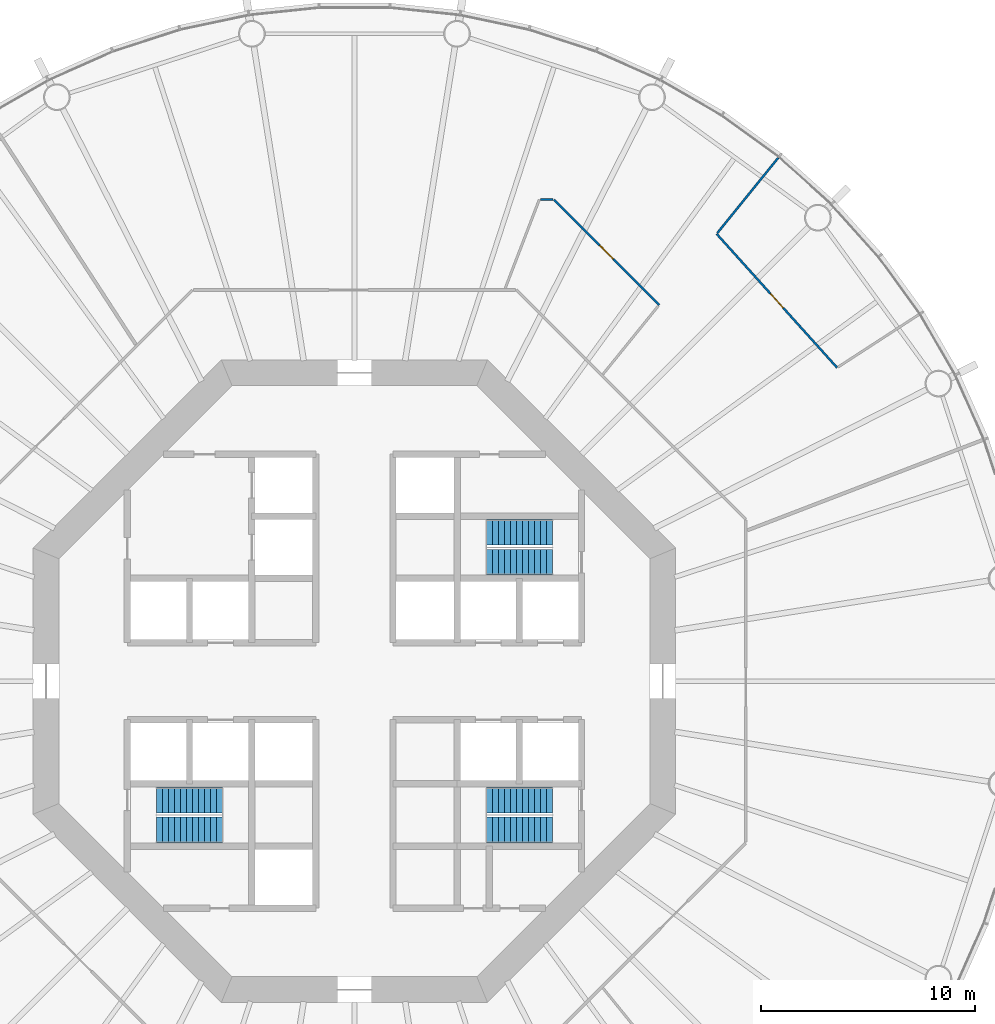
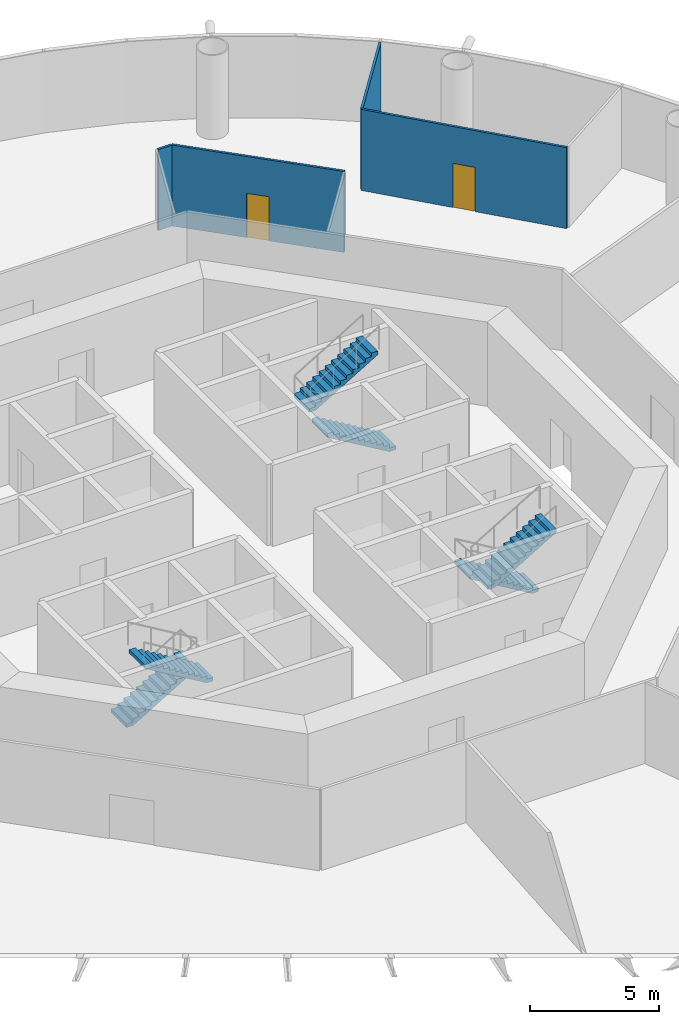
# One storey, part 5 of 12: 6 stair flights, 4 walls, 2 doors, 2 openings, 3 elements without a shape of their own.
"""IFC4 building model written with IfcOpenShell, lengths in metres."""

from ifc_helpers import new_model, si_unit, direction, frame, frame_2d, origin, place, context, subcontext, project, spatial, polyline, rectangle, outline, extrude, material, layer, layer_set, type_object, element, fill, aggregate, save


model = new_model("IFC4")

# Units and contexts
model_context = context("Model", 3, precision=1e-05, world=origin(), true_north=direction((0.0, 1.0)))
body_context = subcontext(model_context, "Body", "Model", "MODEL_VIEW")
ifc_project = project(units=[si_unit("LENGTHUNIT", "METRE"), si_unit("AREAUNIT", "SQUARE_METRE"), si_unit("VOLUMEUNIT", "CUBIC_METRE"), si_unit("PLANEANGLEUNIT", "RADIAN"), si_unit("MASSUNIT", "GRAM", prefix="KILO")], contexts=[model_context])

# Site, building, storey
site_placement = place(None, origin())
site = spatial("IfcSite", under=ifc_project, at=site_placement, CompositionType="ELEMENT")
building_placement = place(site_placement, origin())
building = spatial("IfcBuilding", under=site, at=building_placement, Name="Entoto Ring Tower", CompositionType="ELEMENT")
storey_placement = place(building_placement, frame((0.0, 0.0, 128.0)))
storey = spatial("IfcBuildingStorey", under=building, at=storey_placement, Name="L29", CompositionType="ELEMENT", Elevation=128.0)

# Wall, opening, door
ifc_material_1 = material(Name="Plasterboard on steel studs", Category="steel")
ifc_layer = layer(ifc_material_1, 0.10009765625)
ifc_layer_set = layer_set([ifc_layer], Name="Plasterboard on steel studs")
wall_type = type_object("IfcWallType", Name="Partition 100 mm plasterboard on steel studs", PredefinedType="PARTITIONING", material=ifc_layer_set)
wall_1_placement = place(storey_placement, frame((112.53515625, 94.634521484375, 0.0), z_axis=(0.0, 0.0, 1.0), x_axis=(-0.669139602443, 0.743136725268, 0.0)))
wall_1 = element("IfcWall", 1, at=wall_1_placement, inside=storey, type_object=wall_type, Name="partition-L29-012", PredefinedType="PARTITIONING", context=body_context, shape_type="SweptSolid", body=[
    extrude(rectangle(XDim=8.40673828125, YDim=0.10009765625, at=frame_2d((4.203369140625, 0.0))), origin(), (0.0, 0.0, 1.0), 3.85009765625),
])
opening_1_placement = place(wall_1_placement, frame((3.75341796875, 0.0, 0.0)))
opening_1 = element("IfcOpeningElement", 2, at=opening_1_placement, cuts=wall_1, Name="Opening A12-D11", PredefinedType="OPENING", context=body_context, shape_type="SweptSolid", body=[
    extrude(rectangle(XDim=0.89990234375, YDim=2.10009765625, at=frame_2d((0.449951171875, 1.050048828125))), frame((0.0, 0.06005859375, 0.0), z_axis=(0.0, -1.0, 0.0), x_axis=(1.0, 0.0, 0.0)), (0.0, 0.0, 1.0), 0.1201171875),
])
ifc_material_2 = material(Name="Veneered timber door leaf in timber frame", Category="wood")
door_type = type_object("IfcDoorType", Name="Door 900 x 2100 single leaf timber veneer", OperationType="NOTDEFINED", PredefinedType="DOOR", material=ifc_material_2)
door_1_placement = place(opening_1_placement, frame((0.89990234375, 0.0, 0.0), z_axis=(0.0, 0.0, 1.0), x_axis=(-1.0, 0.0, 0.0)))
door_1 = element("IfcDoor", 3, at=door_1_placement, inside=storey, type_object=door_type, Name="Door A12-D11", OperationType="SINGLE_SWING_LEFT", OverallHeight=2.10009765625, OverallWidth=0.89990234375, PredefinedType="DOOR", context=body_context, shape_type="SweptSolid", body=[
    extrude(rectangle(XDim=0.89990234375, YDim=2.10009765625, at=frame_2d((0.449951171875, 1.050048828125))), frame((0.0, 0.02490234375, 0.0), z_axis=(0.0, -1.0, 0.0), x_axis=(1.0, 0.0, 0.0)), (0.0, 0.0, 1.0), 0.050048828125),
])
fill(opening_1, door_1)

wall_2_placement = place(storey_placement, frame((104.2265625, 97.568359375, 0.0), z_axis=(0.0, 0.0, 1.0), x_axis=(-0.707106781187, 0.707106781187, 0.0)))
wall_2 = element("IfcWall", 4, at=wall_2_placement, inside=storey, type_object=wall_type, Name="partition-L29-014", PredefinedType="PARTITIONING", context=body_context, shape_type="SweptSolid", body=[
    extrude(rectangle(XDim=6.949462890625, YDim=0.10009765625, at=frame_2d((3.474609375, 0.0))), origin(), (0.0, 0.0, 1.0), 3.85009765625),
])
opening_2_placement = place(wall_2_placement, frame((3.02490234375, 0.0, 0.0)))
opening_2 = element("IfcOpeningElement", 5, at=opening_2_placement, cuts=wall_2, Name="Opening A12-D10", PredefinedType="OPENING", context=body_context, shape_type="SweptSolid", body=[
    extrude(rectangle(XDim=0.89990234375, YDim=2.10009765625, at=frame_2d((0.449951171875, 1.050048828125))), frame((0.0, 0.06005859375, 0.0), z_axis=(0.0, -1.0, 0.0), x_axis=(1.0, 0.0, 0.0)), (0.0, 0.0, 1.0), 0.1201171875),
])
door_2_placement = place(opening_2_placement, origin())
door_2 = element("IfcDoor", 6, at=door_2_placement, inside=storey, type_object=door_type, Name="Door A12-D10", OperationType="SINGLE_SWING_LEFT", OverallHeight=2.10009765625, OverallWidth=0.89990234375, PredefinedType="DOOR", context=body_context, shape_type="SweptSolid", body=[
    extrude(rectangle(XDim=0.89990234375, YDim=2.10009765625, at=frame_2d((0.449951171875, 1.050048828125))), frame((0.0, 0.02490234375, 0.0), z_axis=(0.0, -1.0, 0.0), x_axis=(1.0, 0.0, 0.0)), (0.0, 0.0, 1.0), 0.050048828125),
])
fill(opening_2, door_2)

# Walls
wall_3_placement = place(storey_placement, frame((106.94091796875, 100.920166015625, 0.0), z_axis=(0.0, 0.0, 1.0), x_axis=(0.629300755535, 0.777161861573, 0.0)))
element("IfcWall", 7, at=wall_3_placement, inside=storey, type_object=wall_type, Name="partition-L29-022", PredefinedType="PARTITIONING", context=body_context, shape_type="SweptSolid", body=[
    extrude(rectangle(XDim=4.520751953125, YDim=0.10009765625, at=frame_2d((2.26025390625, 0.0))), origin(), (0.0, 0.0, 1.0), 3.85009765625),
])
wall_4_placement = place(storey_placement, frame((98.6767578125, 102.482421875, 0.0), z_axis=(0.0, 0.0, 1.0), x_axis=(1.0, 0.0, 0.0)))
element("IfcWall", 8, at=wall_4_placement, inside=storey, type_object=wall_type, Name="partition-L29-030", PredefinedType="PARTITIONING", context=body_context, shape_type="SweptSolid", body=[
    extrude(rectangle(XDim=0.6005859375, YDim=0.10009765625, at=frame_2d((0.30029296875, 0.0))), origin(), (0.0, 0.0, 1.0), 3.85009765625),
])

# Stair, stair flights
ifc_material_3 = material(Name="Concrete C40/50", Category="concrete")
stair_type = type_object("IfcStairType", Name="Exit stair 1200 mm dog-leg reinforced concrete", PredefinedType="HALF_TURN_STAIR", material=ifc_material_3)
stair_1_placement = place(storey_placement, origin())
stair_1 = element("IfcStair", 9, at=stair_1_placement, inside=storey, type_object=stair_type, Name="Exit stair 1", PredefinedType="HALF_TURN_STAIR")
ifc_material_4 = material(Name="Concrete C40/50", Category="concrete")
stair_flight_type = type_object("IfcStairFlightType", Name="Stair flight 1200 mm reinforced concrete", PredefinedType="STRAIGHT", material=ifc_material_4)
stair_flight_1_placement = place(storey_placement, frame((99.25, 85.550048828125, 0.0), z_axis=(0.0, 0.0, 1.0), x_axis=(-1.0, 0.0, 0.0)))
stair_flight_1 = element("IfcStairFlight", 10, at=stair_flight_1_placement, type_object=stair_flight_type, Name="ST1 flight 1", NumberOfRisers=12, NumberOfTreads=11, PredefinedType="STRAIGHT", RiserHeight=0.166666667, TreadLength=0.28, context=body_context, shape_type="SweptSolid", body=[
    extrude(outline(polyline([(0.0, 0.0), (0.0, 0.166748046875), (0.280029296875, 0.166748046875), (0.280029296875, 0.333251953125), (0.56005859375, 0.333251953125), (0.56005859375, 0.5), (0.840087890625, 0.5), (0.840087890625, 0.666748046875), (1.1201171875, 0.666748046875), (1.1201171875, 0.833251953125), (1.39990234375, 0.833251953125), (1.39990234375, 1.0), (1.679931640625, 1.0), (1.679931640625, 1.166748046875), (1.9599609375, 1.166748046875), (1.9599609375, 1.333251953125), (2.239990234375, 1.333251953125), (2.239990234375, 1.5), (2.52001953125, 1.5), (2.52001953125, 1.666748046875), (2.800048828125, 1.666748046875), (2.800048828125, 1.833251953125), (3.080078125, 1.833251953125), (3.080078125, 2.0), (3.080078125, 1.658935546875), (0.29296875, 0.0), (0.0, 0.0)])), frame((0.0, 0.60009765625, 0.0), z_axis=(0.0, -1.0, 0.0), x_axis=(1.0, 0.0, 0.0)), (0.0, 0.0, 1.0), 1.199951171875),
])
stair_flight_2_placement = place(storey_placement, frame((96.169921875, 86.949951171875, 2.0), z_axis=(0.0, 0.0, 1.0), x_axis=(1.0, 0.0, 0.0)))
stair_flight_2 = element("IfcStairFlight", 11, at=stair_flight_2_placement, type_object=stair_flight_type, Name="ST1 flight 2", NumberOfRisers=12, NumberOfTreads=11, PredefinedType="STRAIGHT", RiserHeight=0.166666667, TreadLength=0.28, context=body_context, shape_type="SweptSolid", body=[
    extrude(outline(polyline([(0.0, 0.0), (0.0, 0.166748046875), (0.280029296875, 0.166748046875), (0.280029296875, 0.333251953125), (0.56005859375, 0.333251953125), (0.56005859375, 0.5), (0.840087890625, 0.5), (0.840087890625, 0.666748046875), (1.1201171875, 0.666748046875), (1.1201171875, 0.833251953125), (1.39990234375, 0.833251953125), (1.39990234375, 1.0), (1.679931640625, 1.0), (1.679931640625, 1.166748046875), (1.9599609375, 1.166748046875), (1.9599609375, 1.333251953125), (2.239990234375, 1.333251953125), (2.239990234375, 1.5), (2.52001953125, 1.5), (2.52001953125, 1.666748046875), (2.800048828125, 1.666748046875), (2.800048828125, 1.833251953125), (3.080078125, 1.833251953125), (3.080078125, 2.0), (3.080078125, 1.658935546875), (0.29296875, 0.0), (0.0, 0.0)])), frame((0.0, 0.60009765625, 0.0), z_axis=(0.0, -1.0, 0.0), x_axis=(1.0, 0.0, 0.0)), (0.0, 0.0, 1.0), 1.199951171875),
])
aggregate(stair_1, [stair_flight_1, stair_flight_2])

stair_2_placement = place(storey_placement, origin())
stair_2 = element("IfcStair", 12, at=stair_2_placement, inside=storey, type_object=stair_type, Name="Exit stair 2", PredefinedType="HALF_TURN_STAIR")
stair_flight_3_placement = place(storey_placement, frame((80.75, 74.449951171875, 0.0), z_axis=(0.0, 0.0, 1.0), x_axis=(1.0, 0.0, 0.0)))
stair_flight_3 = element("IfcStairFlight", 13, at=stair_flight_3_placement, type_object=stair_flight_type, Name="ST2 flight 1", NumberOfRisers=12, NumberOfTreads=11, PredefinedType="STRAIGHT", RiserHeight=0.166666667, TreadLength=0.28, context=body_context, shape_type="SweptSolid", body=[
    extrude(outline(polyline([(0.0, 0.0), (0.0, 0.166748046875), (0.280029296875, 0.166748046875), (0.280029296875, 0.333251953125), (0.56005859375, 0.333251953125), (0.56005859375, 0.5), (0.840087890625, 0.5), (0.840087890625, 0.666748046875), (1.1201171875, 0.666748046875), (1.1201171875, 0.833251953125), (1.39990234375, 0.833251953125), (1.39990234375, 1.0), (1.679931640625, 1.0), (1.679931640625, 1.166748046875), (1.9599609375, 1.166748046875), (1.9599609375, 1.333251953125), (2.239990234375, 1.333251953125), (2.239990234375, 1.5), (2.52001953125, 1.5), (2.52001953125, 1.666748046875), (2.800048828125, 1.666748046875), (2.800048828125, 1.833251953125), (3.080078125, 1.833251953125), (3.080078125, 2.0), (3.080078125, 1.658935546875), (0.29296875, 0.0), (0.0, 0.0)])), frame((0.0, 0.60009765625, 0.0), z_axis=(0.0, -1.0, 0.0), x_axis=(1.0, 0.0, 0.0)), (0.0, 0.0, 1.0), 1.199951171875),
])
stair_flight_4_placement = place(storey_placement, frame((83.830078125, 73.050048828125, 2.0), z_axis=(0.0, 0.0, 1.0), x_axis=(-1.0, 0.0, 0.0)))
stair_flight_4 = element("IfcStairFlight", 14, at=stair_flight_4_placement, type_object=stair_flight_type, Name="ST2 flight 2", NumberOfRisers=12, NumberOfTreads=11, PredefinedType="STRAIGHT", RiserHeight=0.166666667, TreadLength=0.28, context=body_context, shape_type="SweptSolid", body=[
    extrude(outline(polyline([(0.0, 0.0), (0.0, 0.166748046875), (0.280029296875, 0.166748046875), (0.280029296875, 0.333251953125), (0.56005859375, 0.333251953125), (0.56005859375, 0.5), (0.840087890625, 0.5), (0.840087890625, 0.666748046875), (1.1201171875, 0.666748046875), (1.1201171875, 0.833251953125), (1.39990234375, 0.833251953125), (1.39990234375, 1.0), (1.679931640625, 1.0), (1.679931640625, 1.166748046875), (1.9599609375, 1.166748046875), (1.9599609375, 1.333251953125), (2.239990234375, 1.333251953125), (2.239990234375, 1.5), (2.52001953125, 1.5), (2.52001953125, 1.666748046875), (2.800048828125, 1.666748046875), (2.800048828125, 1.833251953125), (3.080078125, 1.833251953125), (3.080078125, 2.0), (3.080078125, 1.658935546875), (0.29296875, 0.0), (0.0, 0.0)])), frame((0.0, 0.60009765625, 0.0), z_axis=(0.0, -1.0, 0.0), x_axis=(1.0, 0.0, 0.0)), (0.0, 0.0, 1.0), 1.199951171875),
])
aggregate(stair_2, [stair_flight_3, stair_flight_4])

stair_3_placement = place(storey_placement, origin())
stair_3 = element("IfcStair", 15, at=stair_3_placement, inside=storey, type_object=stair_type, Name="Exit stair 3", PredefinedType="HALF_TURN_STAIR")
stair_flight_5_placement = place(storey_placement, frame((99.25, 74.449951171875, 0.0), z_axis=(0.0, 0.0, 1.0), x_axis=(-1.0, 0.0, 0.0)))
stair_flight_5 = element("IfcStairFlight", 16, at=stair_flight_5_placement, type_object=stair_flight_type, Name="ST3 flight 1", NumberOfRisers=12, NumberOfTreads=11, PredefinedType="STRAIGHT", RiserHeight=0.166666667, TreadLength=0.28, context=body_context, shape_type="SweptSolid", body=[
    extrude(outline(polyline([(0.0, 0.0), (0.0, 0.166748046875), (0.280029296875, 0.166748046875), (0.280029296875, 0.333251953125), (0.56005859375, 0.333251953125), (0.56005859375, 0.5), (0.840087890625, 0.5), (0.840087890625, 0.666748046875), (1.1201171875, 0.666748046875), (1.1201171875, 0.833251953125), (1.39990234375, 0.833251953125), (1.39990234375, 1.0), (1.679931640625, 1.0), (1.679931640625, 1.166748046875), (1.9599609375, 1.166748046875), (1.9599609375, 1.333251953125), (2.239990234375, 1.333251953125), (2.239990234375, 1.5), (2.52001953125, 1.5), (2.52001953125, 1.666748046875), (2.800048828125, 1.666748046875), (2.800048828125, 1.833251953125), (3.080078125, 1.833251953125), (3.080078125, 2.0), (3.080078125, 1.658935546875), (0.29296875, 0.0), (0.0, 0.0)])), frame((0.0, 0.60009765625, 0.0), z_axis=(0.0, -1.0, 0.0), x_axis=(1.0, 0.0, 0.0)), (0.0, 0.0, 1.0), 1.199951171875),
])
stair_flight_6_placement = place(storey_placement, frame((96.169921875, 73.050048828125, 2.0), z_axis=(0.0, 0.0, 1.0), x_axis=(1.0, 0.0, 0.0)))
stair_flight_6 = element("IfcStairFlight", 17, at=stair_flight_6_placement, type_object=stair_flight_type, Name="ST3 flight 2", NumberOfRisers=12, NumberOfTreads=11, PredefinedType="STRAIGHT", RiserHeight=0.166666667, TreadLength=0.28, context=body_context, shape_type="SweptSolid", body=[
    extrude(outline(polyline([(0.0, 0.0), (0.0, 0.166748046875), (0.280029296875, 0.166748046875), (0.280029296875, 0.333251953125), (0.56005859375, 0.333251953125), (0.56005859375, 0.5), (0.840087890625, 0.5), (0.840087890625, 0.666748046875), (1.1201171875, 0.666748046875), (1.1201171875, 0.833251953125), (1.39990234375, 0.833251953125), (1.39990234375, 1.0), (1.679931640625, 1.0), (1.679931640625, 1.166748046875), (1.9599609375, 1.166748046875), (1.9599609375, 1.333251953125), (2.239990234375, 1.333251953125), (2.239990234375, 1.5), (2.52001953125, 1.5), (2.52001953125, 1.666748046875), (2.800048828125, 1.666748046875), (2.800048828125, 1.833251953125), (3.080078125, 1.833251953125), (3.080078125, 2.0), (3.080078125, 1.658935546875), (0.29296875, 0.0), (0.0, 0.0)])), frame((0.0, 0.60009765625, 0.0), z_axis=(0.0, -1.0, 0.0), x_axis=(1.0, 0.0, 0.0)), (0.0, 0.0, 1.0), 1.199951171875),
])
aggregate(stair_3, [stair_flight_5, stair_flight_6])

save(model, "model.ifc")
